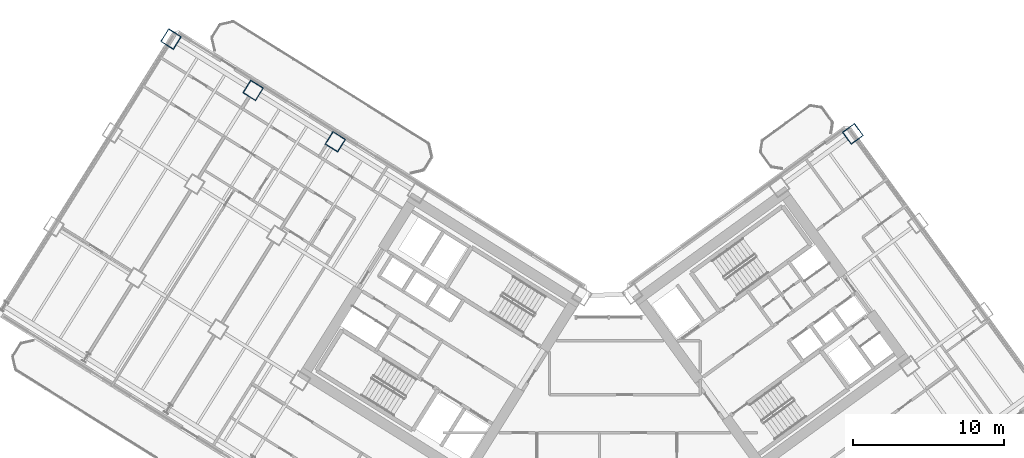
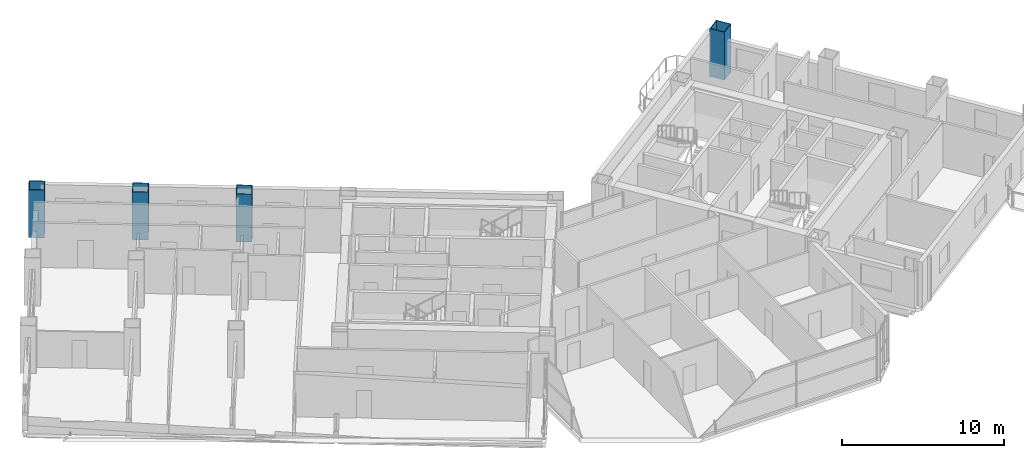
# One storey, part 3 of 28: 4 columns.
"""IFC4 building model written with IfcOpenShell, lengths in metres."""

import ifcopenshell
import ifcopenshell.guid

model = None  # the IFC model being written
_history = None  # IfcOwnerHistory: only IFC2X3 demands one
_inside = {}  # id of a spatial element -> (the spatial element, [elements in it])
_under = {}  # id of a project, library or spatial element -> (it, [spatial elements below it])
_declared = {}  # id of a project -> (the project, [libraries it declares])
_typed = {}  # id of a type object -> (the type object, [elements of that type])
_made_of = {}  # id of a material, layer set ... -> (it, [elements and type objects made of it])


def new_model(schema):
    """Start an empty IFC model of exactly this schema.

    Asked for "IFC4X3", IfcOpenShell would pick the latest addendum, in which some entities
    have other attributes; the version numbers below select the first issue.
    IFC2X3 requires an IfcOwnerHistory on every rooted entity: one is made here for all.
    """
    global model, _history
    if schema == "IFC4X3":
        model = ifcopenshell.file(schema_version=(4, 3, 0, 0))
    else:
        model = ifcopenshell.file(schema=schema)
    _inside.clear()
    _under.clear()
    _declared.clear()
    _typed.clear()
    _made_of.clear()
    _history = None
    if model.schema == "IFC2X3":
        org = make("IfcOrganization", Name="unknown")
        user = make(
            "IfcPersonAndOrganization",
            ThePerson=make("IfcPerson", FamilyName="unknown"),
            TheOrganization=org,
        )
        app = make(
            "IfcApplication",
            ApplicationDeveloper=org,
            Version="unknown",
            ApplicationFullName="unknown",
            ApplicationIdentifier="unknown",
        )
        _history = make(
            "IfcOwnerHistory",
            OwningUser=user,
            OwningApplication=app,
            ChangeAction="ADDED",
            CreationDate=0,
        )
    return model


def make(cls, **values):
    """One entity of the class cls with the attributes given. An attribute that is None is left unset."""
    return model.create_entity(
        cls, **{name: value for name, value in values.items() if value is not None}
    )


def rooted(cls, **values):
    """An entity with a GlobalId (a new one), such as an element, a storey or a relation."""
    return make(cls, GlobalId=ifcopenshell.guid.new(), OwnerHistory=_history, **values)


def si_unit(unit_type, name, prefix=None):
    """IfcSIUnit, for example si_unit("LENGTHUNIT", "METRE", prefix="MILLI")."""
    return make("IfcSIUnit", UnitType=unit_type, Prefix=prefix, Name=name)


def assignment(units):
    """IfcUnitAssignment: the units of a project."""
    return None if units is None else make("IfcUnitAssignment", Units=units)


def point(xyz):
    """IfcCartesianPoint."""
    return None if xyz is None else make("IfcCartesianPoint", Coordinates=xyz)


def direction(xyz):
    """IfcDirection."""
    return None if xyz is None else make("IfcDirection", DirectionRatios=xyz)


def frame(location, z_axis=None, x_axis=None):
    """IfcAxis2Placement3D, a coordinate frame: its origin and axes. An axis left out is left unset."""
    return make(
        "IfcAxis2Placement3D",
        Location=point(location),
        Axis=direction(z_axis),
        RefDirection=direction(x_axis),
    )


def frame_2d(location, x_axis=None):
    """IfcAxis2Placement2D, a coordinate frame in the plane: its origin and x axis."""
    return make(
        "IfcAxis2Placement2D", Location=point(location), RefDirection=direction(x_axis)
    )


def origin():
    """The frame at (0, 0, 0) with its axes left unset."""
    return frame((0.0, 0.0, 0.0))


def origin_2d():
    """The frame at (0, 0) in the plane with its x axis left unset."""
    return frame_2d((0.0, 0.0))


def place(relative_to, where):
    """IfcLocalPlacement: puts the frame where relative to a parent placement (None: the world)."""
    return make(
        "IfcLocalPlacement", PlacementRelTo=relative_to, RelativePlacement=where
    )


def context(
    kind, dimensions, precision=None, world=None, true_north=None, identifier=None
):
    """IfcGeometricRepresentationContext, for example the 3D "Model" context."""
    return make(
        "IfcGeometricRepresentationContext",
        ContextIdentifier=identifier,
        ContextType=kind,
        CoordinateSpaceDimension=dimensions,
        Precision=precision,
        WorldCoordinateSystem=world,
        TrueNorth=true_north,
    )


def subcontext(parent, identifier, kind, view, scale=None):
    """IfcGeometricRepresentationSubContext, for example "Body" below "Model"."""
    return make(
        "IfcGeometricRepresentationSubContext",
        ContextIdentifier=identifier,
        ContextType=kind,
        ParentContext=parent,
        TargetScale=scale,
        TargetView=view,
    )


def project(units=None, contexts=None):
    """IfcProject with its units and contexts."""
    return rooted(
        "IfcProject",
        Name="project",
        RepresentationContexts=contexts,
        UnitsInContext=assignment(units),
    )


def spatial(cls, under=None, at=None, **own):
    """A site, building, storey or space (cls), placed at a placement, below another one or the project."""
    s = rooted(cls, ObjectPlacement=at, **own)
    if under is not None:
        _under.setdefault(under.id(), (under, []))[1].append(s)
    return s


def profile(cls, at=None, kind="AREA", **sizes):
    """A parametric profile (cls). Its sizes go by their IFC names, for example OverallWidth=200.0."""
    return make(cls, ProfileType=kind, Position=at, **sizes)


def hollow_rectangle(**sizes):
    """IfcRectangleHollowProfileDef."""
    return profile("IfcRectangleHollowProfileDef", **sizes)


def extrude(swept, where, along, depth):
    """IfcExtrudedAreaSolid: the profile swept, set in the frame where, extruded along a direction by depth."""
    return make(
        "IfcExtrudedAreaSolid",
        SweptArea=swept,
        Position=where,
        ExtrudedDirection=direction(along),
        Depth=depth,
    )


def shape(context_of_items, identifier, shape_type, items):
    """IfcShapeRepresentation: the items that make up one representation, for example the "Body"."""
    return make(
        "IfcShapeRepresentation",
        ContextOfItems=context_of_items,
        RepresentationIdentifier=identifier,
        RepresentationType=shape_type,
        Items=items,
    )


def source(mapping_origin, context_of_items, identifier, shape_type, items):
    """IfcRepresentationMap: a shape defined once, which mapped items show again and again."""
    return make(
        "IfcRepresentationMap",
        MappingOrigin=mapping_origin,
        MappedRepresentation=shape(context_of_items, identifier, shape_type, items),
    )


def transform(
    local_origin,
    x_axis=None,
    y_axis=None,
    z_axis=None,
    scale=None,
    scale2=None,
    scale3=None,
    uniform=True,
):
    """IfcCartesianTransformationOperator3D, or its non-uniform kind. x_axis, y_axis, z_axis: its Axis1, 2, 3."""
    if uniform:
        return make(
            "IfcCartesianTransformationOperator3D",
            Axis1=direction(x_axis),
            Axis2=direction(y_axis),
            LocalOrigin=point(local_origin),
            Scale=scale,
            Axis3=direction(z_axis),
        )
    return make(
        "IfcCartesianTransformationOperator3DnonUniform",
        Axis1=direction(x_axis),
        Axis2=direction(y_axis),
        LocalOrigin=point(local_origin),
        Scale=scale,
        Axis3=direction(z_axis),
        Scale2=scale2,
        Scale3=scale3,
    )


def mapped(mapping_source, mapping_target):
    """IfcMappedItem: shows the shape of a source again, moved by a transform."""
    return make(
        "IfcMappedItem", MappingSource=mapping_source, MappingTarget=mapping_target
    )


def material(Name=None, Category=None):
    """IfcMaterial."""
    return make("IfcMaterial", Name=Name, Category=Category)


def material_profile(
    of_material, cross_section, Name=None, Category=None, Priority=None
):
    """IfcMaterialProfile: a cross section and its material."""
    return make(
        "IfcMaterialProfile",
        Name=Name,
        Material=of_material,
        Profile=cross_section,
        Priority=Priority,
        Category=Category,
    )


def profile_set(profiles, Name=None, composite=None):
    """IfcMaterialProfileSet."""
    return make(
        "IfcMaterialProfileSet",
        Name=Name,
        MaterialProfiles=profiles,
        CompositeProfile=composite,
    )


def made_of(thing, what):
    """Note that an element or type object is made of a material, layer set ...; save() writes the relation."""
    if what is not None:
        _made_of.setdefault(what.id(), (what, []))[1].append(thing)
    return thing


def type_object(cls, material=None, **own):
    """A type object (cls), such as IfcWallType, which elements share."""
    return made_of(rooted(cls, **own), material)


def element(
    cls,
    number,
    at=None,
    inside=None,
    cuts=None,
    type_object=None,
    material=None,
    context=None,
    identifier="Body",
    shape_type=None,
    held_by="IfcProductDefinitionShape",
    body=None,
    shapes=None,
    **own,
):
    """One element of the class cls, such as IfcWall. Its Tag is "e" and its number.

    at: its placement. inside: the storey or other place that contains it. cuts: it is an
    opening in that element (IfcRelVoidsElement). A single representation is given by context,
    identifier, shape_type and body (its items); several are given by shapes. held_by: the class
    of the entity that holds the representations. save() writes the other relations.
    """
    e = rooted(cls, Tag="e%d" % number, ObjectPlacement=at, **own)
    if body is not None:
        shapes = [shape(context, identifier, shape_type, body)]
    if shapes is not None:
        e.Representation = make(held_by, Representations=shapes)
    if inside is not None:
        _inside.setdefault(inside.id(), (inside, []))[1].append(e)
    if cuts is not None:
        rooted(
            "IfcRelVoidsElement", RelatingBuildingElement=cuts, RelatedOpeningElement=e
        )
    if type_object is not None:
        _typed.setdefault(type_object.id(), (type_object, []))[1].append(e)
    return made_of(e, material)


def aggregate(whole, parts):
    """IfcRelAggregates: a whole, such as a stair, and the parts it consists of."""
    return rooted("IfcRelAggregates", RelatingObject=whole, RelatedObjects=parts)


def save(model, path):
    """Write the relations noted so far, then the file.

    IfcRelAggregates (storeys below a building ...), IfcRelContainedInSpatialStructure (elements
    in a storey), IfcRelDefinesByType, IfcRelAssociatesMaterial and IfcRelDeclares: one each for
    every whole, place, type object, material and project.
    """
    for whole, parts in _under.values():
        aggregate(whole, parts)
    for where, things in _inside.values():
        rooted(
            "IfcRelContainedInSpatialStructure",
            RelatedElements=things,
            RelatingStructure=where,
        )
    for kind, things in _typed.values():
        rooted("IfcRelDefinesByType", RelatedObjects=things, RelatingType=kind)
    for what, things in _made_of.values():
        rooted("IfcRelAssociatesMaterial", RelatedObjects=things, RelatingMaterial=what)
    for by, libraries in _declared.values():
        rooted("IfcRelDeclares", RelatingContext=by, RelatedDefinitions=libraries)
    model.write(path)


model = new_model("IFC4")

# Units and contexts
model_context = context("Model", 3, precision=1e-05, world=origin(), true_north=direction((0.0, 1.0)))
body_context = subcontext(model_context, "Body", "Model", "MODEL_VIEW")
ifc_project = project(units=[si_unit("LENGTHUNIT", "METRE"), si_unit("AREAUNIT", "SQUARE_METRE"), si_unit("VOLUMEUNIT", "CUBIC_METRE"), si_unit("PLANEANGLEUNIT", "RADIAN"), si_unit("MASSUNIT", "GRAM", prefix="KILO")], contexts=[model_context])

# Site, building, storey
site_placement = place(None, origin())
site = spatial("IfcSite", under=ifc_project, at=site_placement, CompositionType="ELEMENT")
building_placement = place(site_placement, origin())
building = spatial("IfcBuilding", under=site, at=building_placement, Name="Tlacorven Tower", CompositionType="ELEMENT")
storey_placement = place(building_placement, frame((0.0, 0.0, 42.0)))
storey = spatial("IfcBuildingStorey", under=building, at=storey_placement, Name="L10", CompositionType="ELEMENT", Elevation=42.0)

# Columns
ifc_material = material(Name="Steel S460M", Category="steel")
ifc_material_profile = material_profile(ifc_material, hollow_rectangle(XDim=1.0, YDim=1.0, WallThickness=0.0400390625, at=origin_2d()), Name="BOX 1000X1000X40")
ifc_profile_set = profile_set([ifc_material_profile], Name="Steel S460M")
column_type = type_object("IfcColumnType", Name="COL-TWR-S1", PredefinedType="COLUMN", material=ifc_profile_set)
shared_shape = source(origin(), body_context, "Body", "SweptSolid", [
    extrude(hollow_rectangle(XDim=1.0, YDim=1.0, WallThickness=0.0400390625, at=origin_2d()), origin(), (0.0, 0.0, 1.0), 3.60009765625),
])
for number, where, z_axis, x_axis, name in (
    (1, (24.50048828125, 34.642822265625, 0.0), (0.0, 0.0, 1.0), (-0.848048096156, 0.529919264233, 0.0), "L10 column COL-L10-W4-1"),
    (2, (19.072998046875, 38.034423828125, 0.0), (0.0, 0.0, 1.0), (-0.848048096156, 0.529919264233, 0.0), "L10 column COL-L10-W5-1"),
    (3, (13.6455078125, 41.42578125, 0.0), (0.0, 0.0, 1.0), (-0.848048096156, 0.529919264233, 0.0), "L10 column COL-L10-W6-1"),
    (4, (58.68603515625, 35.165283203125, 0.0), (0.0, 0.0, 1.0), (0.809016994375, 0.587785252292, 0.0), "L10 column COL-L10-E4-4"),
):
    element("IfcColumn", number, at=place(storey_placement, frame(where, z_axis=z_axis, x_axis=x_axis)), inside=storey, type_object=column_type, Name=name, PredefinedType="COLUMN", context=body_context, shape_type="MappedRepresentation", body=[
        mapped(shared_shape, transform((0.0, 0.0, 0.0), scale=1.0)),
    ])

save(model, "model.ifc")
